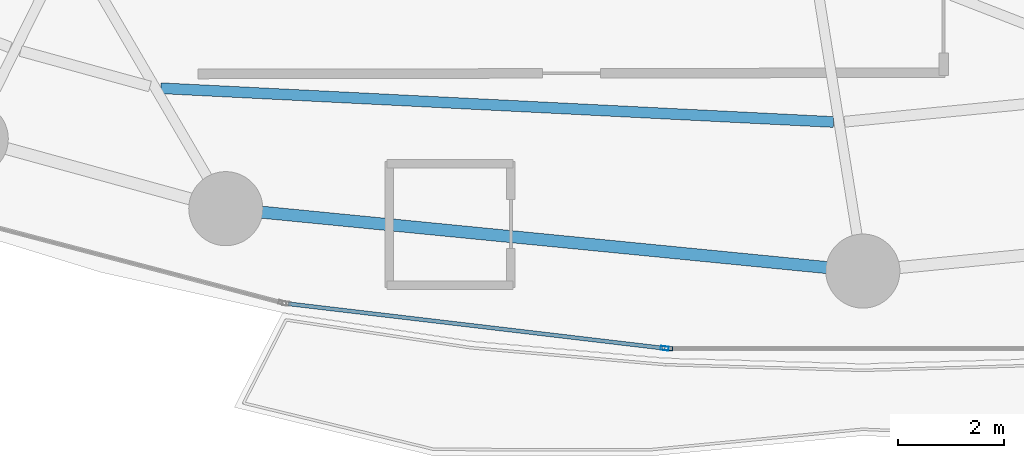
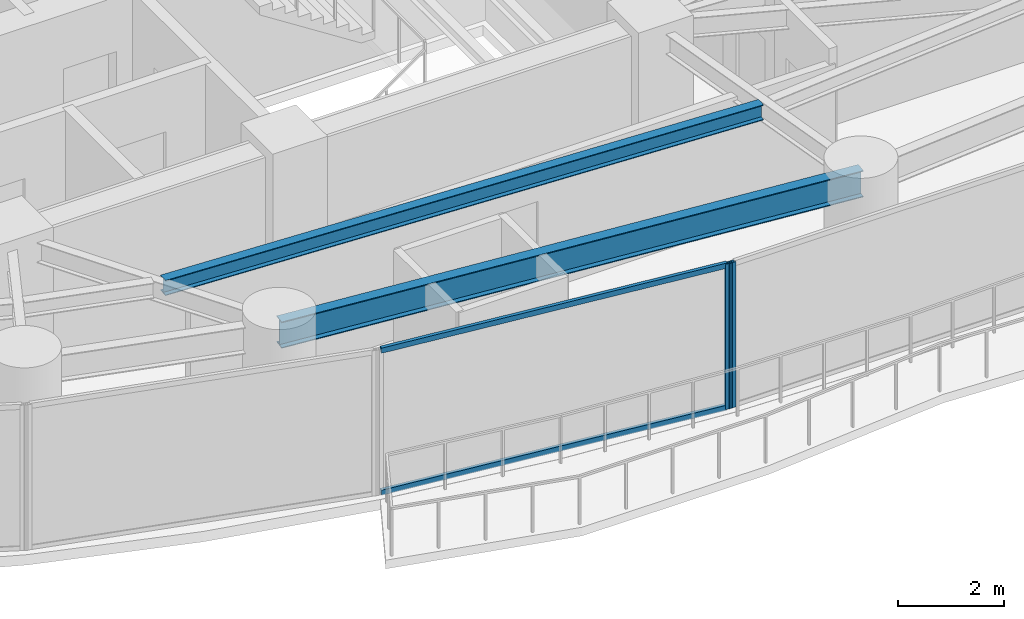
# One storey, part 6 of 30: 4 members, 2 beams, 2 elements without a shape of their own.
"""IFC4 building model written with IfcOpenShell, lengths in metres."""

from ifc_helpers import new_model, si_unit, direction, frame, origin, origin_2d, place, context, subcontext, project, spatial, hollow_rectangle, i_section, extrude, material, layer, layer_set, material_profile, profile_set, type_object, element, aggregate, save


model = new_model("IFC4")

# Units and contexts
model_context = context("Model", 3, precision=1e-05, world=origin(), true_north=direction((0.0, 1.0)))
body_context = subcontext(model_context, "Body", "Model", "MODEL_VIEW")
ifc_project = project(units=[si_unit("LENGTHUNIT", "METRE"), si_unit("AREAUNIT", "SQUARE_METRE"), si_unit("VOLUMEUNIT", "CUBIC_METRE"), si_unit("PLANEANGLEUNIT", "RADIAN"), si_unit("MASSUNIT", "GRAM", prefix="KILO")], contexts=[model_context])

# Site, building, storey
site_placement = place(None, origin())
site = spatial("IfcSite", under=ifc_project, at=site_placement, CompositionType="ELEMENT")
building_placement = place(site_placement, origin())
building = spatial("IfcBuilding", under=site, at=building_placement, Name="Kazevale Care Tower and Concert Hall", CompositionType="ELEMENT")
storey_placement = place(building_placement, frame((0.0, 0.0, 74.39990234375)))
storey = spatial("IfcBuildingStorey", under=building, at=storey_placement, Name="L19", CompositionType="ELEMENT", Elevation=74.39990234375)

# Curtain wall, member
ifc_material_1 = material(Name="Aluminium 6063-T6 and Low-E Glass", Category="aluminium")
ifc_layer = layer(ifc_material_1, 0.179931640625)
ifc_layer_set = layer_set([ifc_layer], Name="Aluminium 6063-T6 and Low-E Glass")
curtain_wall_type = type_object("IfcCurtainWallType", Name="Sheltered Concave Balcony Curtain Wall CW-5", PredefinedType="NOTDEFINED", material=ifc_layer_set)
curtain_wall_1_placement = place(storey_placement, origin())
curtain_wall_1 = element("IfcCurtainWall", 1, at=curtain_wall_1_placement, inside=storey, type_object=curtain_wall_type, Name="cw:L19:f06", PredefinedType="NOTDEFINED")
ifc_material_2 = material(Name="Aluminium 6063-T6", Category="aluminium")
ifc_material_profile_1 = material_profile(ifc_material_2, hollow_rectangle(XDim=0.074951171875, YDim=0.14990234375, WallThickness=0.00390625, at=origin_2d()), Name="ALU75x150x4")
ifc_profile_set_1 = profile_set([ifc_material_profile_1], Name="Aluminium 6063-T6")
member_type_1 = type_object("IfcMemberType", Name="CW-5 Mullion ALU75x150x4", PredefinedType="MULLION", material=ifc_profile_set_1)
member_1_placement = place(storey_placement, frame((41.33056640625, 15.885986328125, 0.0), z_axis=(0.0, 0.0, 1.0), x_axis=(0.0, -1.0, 0.0)))
member_1 = element("IfcMember", 2, at=member_1_placement, type_object=member_type_1, Name="CW-5 mullion 2", PredefinedType="MULLION", context=body_context, shape_type="SweptSolid", body=[
    extrude(hollow_rectangle(XDim=0.074951171875, YDim=0.14990234375, WallThickness=0.00390625, at=origin_2d()), origin(), (0.0, 0.0, 1.0), 3.360107421875),
])
aggregate(curtain_wall_1, [member_1])

# Curtain wall, members
curtain_wall_2_placement = place(storey_placement, origin())
curtain_wall_2 = element("IfcCurtainWall", 3, at=curtain_wall_2_placement, inside=storey, type_object=curtain_wall_type, Name="cw:L19:f07", PredefinedType="NOTDEFINED")
member_2_placement = place(storey_placement, frame((41.255859375, 15.890380859375, 0.0), z_axis=(0.0, 0.0, 1.0), x_axis=(-0.117519084253, -0.993070624294, 0.0)))
member_2 = element("IfcMember", 4, at=member_2_placement, type_object=member_type_1, Name="CW-5 mullion 1", PredefinedType="MULLION", context=body_context, shape_type="SweptSolid", body=[
    extrude(hollow_rectangle(XDim=0.074951171875, YDim=0.14990234375, WallThickness=0.00390625, at=origin_2d()), origin(), (0.0, 0.0, 1.0), 3.360107421875),
])
ifc_material_profile_2 = material_profile(ifc_material_2, hollow_rectangle(XDim=0.074951171875, YDim=0.1201171875, WallThickness=0.00390625, at=origin_2d()), Name="ALU75x120x4")
ifc_profile_set_2 = profile_set([ifc_material_profile_2], Name="Aluminium 6063-T6")
member_type_2 = type_object("IfcMemberType", Name="CW-5 Transom ALU75x120x4", PredefinedType="USERDEFINED", material=ifc_profile_set_2)
member_3_placement = place(storey_placement, frame((41.218505859375, 15.894775390625, 0.03759765625), z_axis=(-0.993069913078, 0.117525094085, 0.0), x_axis=(-0.117525094085, -0.993069913078, 0.0)))
member_3 = element("IfcMember", 5, at=member_3_placement, type_object=member_type_2, Name="CW-5 transom 1.1", ObjectType="TRANSOM", PredefinedType="USERDEFINED", context=body_context, shape_type="SweptSolid", body=[
    extrude(hollow_rectangle(XDim=0.074951171875, YDim=0.1201171875, WallThickness=0.00390625, at=origin_2d()), origin(), (0.0, 0.0, 1.0), 7.125244140625),
])
member_4_placement = place(storey_placement, frame((41.218505859375, 15.894775390625, 3.322509765625), z_axis=(-0.993069913078, 0.117525094085, 0.0), x_axis=(-0.117525094085, -0.993069913078, 0.0)))
member_4 = element("IfcMember", 6, at=member_4_placement, type_object=member_type_2, Name="CW-5 transom 1.2", ObjectType="TRANSOM", PredefinedType="USERDEFINED", context=body_context, shape_type="SweptSolid", body=[
    extrude(hollow_rectangle(XDim=0.074951171875, YDim=0.1201171875, WallThickness=0.00390625, at=origin_2d()), origin(), (0.0, 0.0, 1.0), 7.125244140625),
])
aggregate(curtain_wall_2, [member_2, member_3, member_4])

# Beams
ifc_material_3 = material(Name="Steel ASTM A572 Gr 50", Category="steel")
ifc_material_profile_3 = material_profile(ifc_material_3, i_section(OverallWidth=0.22900390625, OverallDepth=0.612060546875, WebThickness=0.011962890625, FlangeThickness=0.01953125, at=origin_2d()), Name="W610x125")
ifc_profile_set_3 = profile_set([ifc_material_profile_3], Name="Steel ASTM A572 Gr 50")
beam_type_1 = type_object("IfcBeamType", Name="Ring Spandrel Beam W610x125", PredefinedType="SPANDREL", material=ifc_profile_set_3)
beam_1_placement = place(storey_placement, frame((32.9599609375, 18.530029296875, 3.05419921875), z_axis=(0.995232251602, -0.09753340644, 0.0), x_axis=(0.09753340644, 0.995232251602, 0.0)))
element("IfcBeam", 7, at=beam_1_placement, inside=storey, type_object=beam_type_1, Name="beam:L19:ring:12", PredefinedType="SPANDREL", context=body_context, shape_type="SweptSolid", body=[
    extrude(i_section(OverallWidth=0.22900390625, OverallDepth=0.612060546875, WebThickness=0.011962890625, FlangeThickness=0.01953125, at=origin_2d()), origin(), (0.0, 0.0, 1.0), 12.09765625),
])
ifc_material_profile_4 = material_profile(ifc_material_3, i_section(OverallWidth=0.205078125, OverallDepth=0.35400390625, WebThickness=0.009521484375, FlangeThickness=0.016845703125, at=origin_2d()), Name="W360x79")
ifc_profile_set_4 = profile_set([ifc_material_profile_4], Name="Steel ASTM A572 Gr 50")
beam_type_2 = type_object("IfcBeamType", Name="Secondary Floor Joist W360x79", PredefinedType="JOIST", material=ifc_profile_set_4)
beam_2_placement = place(storey_placement, frame((31.73291015625, 20.805908203125, 3.18310546875), z_axis=(0.998743186005, -0.050120339262, 0.0), x_axis=(0.050120339262, 0.998743186005, 0.0)))
element("IfcBeam", 8, at=beam_2_placement, inside=storey, type_object=beam_type_2, Name="beam:L19:joist:12", PredefinedType="JOIST", context=body_context, shape_type="SweptSolid", body=[
    extrude(i_section(OverallWidth=0.205078125, OverallDepth=0.35400390625, WebThickness=0.009521484375, FlangeThickness=0.016845703125, at=origin_2d()), origin(), (0.0, 0.0, 1.0), 12.728271484375),
])

save(model, "model.ifc")
